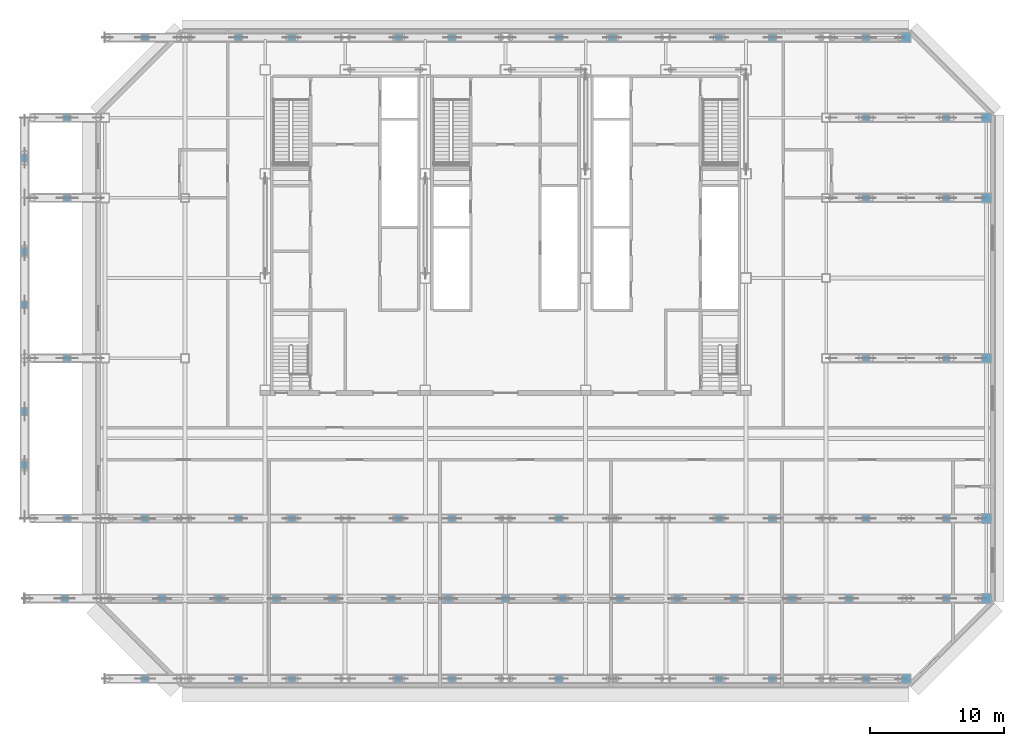
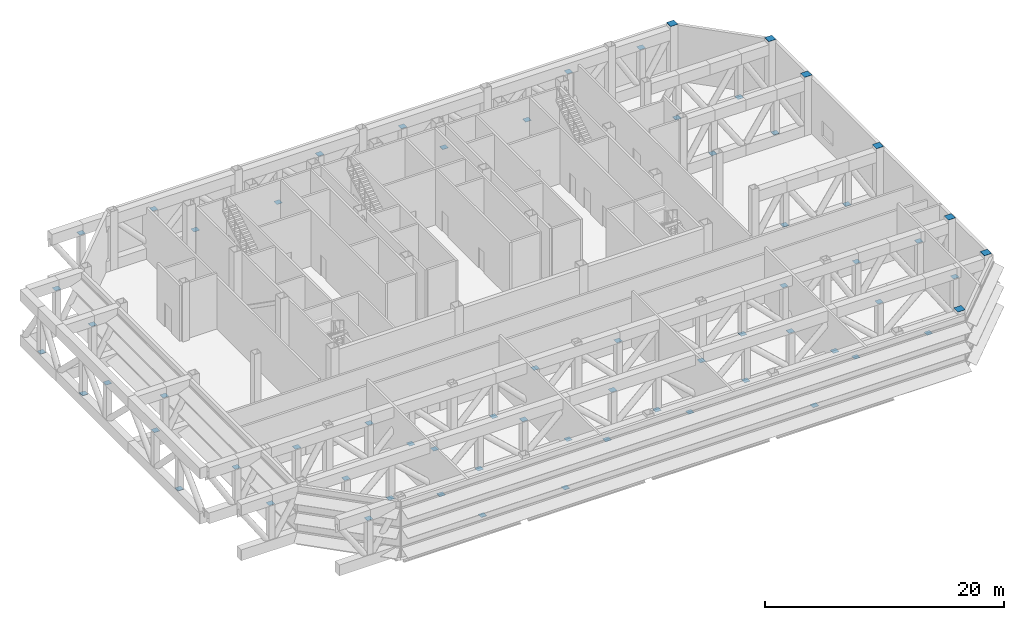
# One storey, part 15 of 17: 66 discrete accessories.
"""IFC4 building model written with IfcOpenShell, lengths in metres."""

from ifc_helpers import new_model, si_unit, direction, frame, origin, origin_2d, place, context, subcontext, project, spatial, rectangle, extrude, material, layer, layer_set, type_object, element, save


model = new_model("IFC4")

# Units and contexts
model_context = context("Model", 3, precision=1e-05, world=origin(), true_north=direction((0.0, 1.0)))
body_context = subcontext(model_context, "Body", "Model", "MODEL_VIEW")
ifc_project = project(units=[si_unit("LENGTHUNIT", "METRE"), si_unit("AREAUNIT", "SQUARE_METRE"), si_unit("VOLUMEUNIT", "CUBIC_METRE"), si_unit("PLANEANGLEUNIT", "RADIAN"), si_unit("MASSUNIT", "GRAM", prefix="KILO")], contexts=[model_context])

# Site, building, storey
site_placement = place(None, origin())
site = spatial("IfcSite", under=ifc_project, at=site_placement, CompositionType="ELEMENT")
building_placement = place(site_placement, origin())
building = spatial("IfcBuilding", under=site, at=building_placement, Name="Sorahane Residences", CompositionType="ELEMENT")
storey_placement = place(building_placement, frame((0.0, 0.0, 186.0)))
storey = spatial("IfcBuildingStorey", under=building, at=storey_placement, Name="L43", CompositionType="ELEMENT", Elevation=186.0)

# Discrete accessories
ifc_material_1 = material(Name="Steel Q355B", Category="steel")
ifc_layer_1 = layer(ifc_material_1, 0.02001953125)
ifc_layer_set_1 = layer_set([ifc_layer_1], Name="End plate Steel Q355B 700x700x20")
discrete_accessory_type_1 = type_object("IfcDiscreteAccessoryType", Name="End plate Steel Q355B 700x700x20", PredefinedType="USERDEFINED", material=ifc_layer_set_1)
for number, where, z_axis, x_axis, name in (
    (1, (54.0, 0.0, 6.0), (0.0, 0.0, 1.0), (1.0, 0.0, 0.0), "End plate L43"),
    (2, (54.0, 48.0, 6.0), (0.0, 0.0, 1.0), (1.0, 0.0, 0.0), "End plate L43"),
    (3, (60.0, 12.0, 6.0), (0.0, 0.0, 1.0), (1.0, 0.0, 0.0), "End plate L43"),
    (4, (60.0, 24.0, 6.0), (0.0, 0.0, 1.0), (1.0, 0.0, 0.0), "End plate L43"),
    (5, (60.0, 36.0, 6.0), (0.0, 0.0, 1.0), (1.0, 0.0, 0.0), "End plate L43"),
    (6, (60.0, 42.0, 6.0), (0.0, 0.0, 1.0), (1.0, 0.0, 0.0), "End plate L43"),
    (7, (60.0, 6.0, 6.0), (0.0, 0.0, 1.0), (1.0, 0.0, 0.0), "End plate L43"),
):
    element("IfcDiscreteAccessory", number, at=place(storey_placement, frame(where, z_axis=z_axis, x_axis=x_axis)), inside=storey, type_object=discrete_accessory_type_1, Name=name, ObjectType="END PLATE", PredefinedType="USERDEFINED", context=body_context, shape_type="SweptSolid", body=[
        extrude(rectangle(XDim=0.699951171875, YDim=0.699951171875, at=origin_2d()), origin(), (0.0, 0.0, 1.0), 0.02001953125),
    ])
ifc_material_2 = material(Name="Steel Q420GJ", Category="steel")
ifc_layer_2 = layer(ifc_material_2, 0.02001953125)
ifc_layer_set_2 = layer_set([ifc_layer_2], Name="End plate Steel Q420GJ 550x550x20")
discrete_accessory_type_2 = type_object("IfcDiscreteAccessoryType", Name="End plate Steel Q420GJ 550x550x20", PredefinedType="USERDEFINED", material=ifc_layer_set_2)
for number, where, z_axis, x_axis, name in (
    (8, (-3.0, 0.0, 4.60009765625), (0.0, 0.0, 1.0), (1.0, 0.0, 0.0), "End plate L43"),
    (9, (40.0, 0.0, 1.080078125), (0.0, 0.0, 1.0), (1.0, 0.0, 0.0), "End plate L43"),
    (10, (44.0, 0.0, 4.60009765625), (0.0, 0.0, 1.0), (1.0, 0.0, 0.0), "End plate L43"),
    (11, (51.0, 0.0, 4.60009765625), (0.0, 0.0, 1.0), (1.0, 0.0, 0.0), "End plate L43"),
    (12, (4.0, 0.0, 4.60009765625), (0.0, 0.0, 1.0), (1.0, 0.0, 0.0), "End plate L43"),
    (13, (8.0, 0.0, 1.080078125), (0.0, 0.0, 1.0), (1.0, 0.0, 0.0), "End plate L43"),
    (14, (16.0, 0.0, 1.080078125), (0.0, 0.0, 1.0), (1.0, 0.0, 0.0), "End plate L43"),
    (15, (20.0, 0.0, 4.60009765625), (0.0, 0.0, 1.0), (1.0, 0.0, 0.0), "End plate L43"),
    (16, (28.0, 0.0, 4.60009765625), (0.0, 0.0, 1.0), (1.0, 0.0, 0.0), "End plate L43"),
    (17, (-8.824951171875, 12.0, 4.60009765625), (0.0, 0.0, 1.0), (1.0, 0.0, 0.0), "End plate L43"),
    (18, (28.0, 12.0, 4.60009765625), (0.0, 0.0, 1.0), (1.0, 0.0, 0.0), "End plate L43"),
    (19, (40.0, 12.0, 1.080078125), (0.0, 0.0, 1.0), (1.0, 0.0, 0.0), "End plate L43"),
    (20, (44.0, 12.0, 4.60009765625), (0.0, 0.0, 1.0), (1.0, 0.0, 0.0), "End plate L43"),
    (21, (51.0, 12.0, 4.60009765625), (0.0, 0.0, 1.0), (1.0, 0.0, 0.0), "End plate L43"),
    (22, (57.0, 12.0, 4.60009765625), (0.0, 0.0, 1.0), (1.0, 0.0, 0.0), "End plate L43"),
    (23, (-3.0, 12.0, 4.60009765625), (0.0, 0.0, 1.0), (1.0, 0.0, 0.0), "End plate L43"),
    (24, (4.0, 12.0, 4.60009765625), (0.0, 0.0, 1.0), (1.0, 0.0, 0.0), "End plate L43"),
    (25, (8.0, 12.0, 1.080078125), (0.0, 0.0, 1.0), (1.0, 0.0, 0.0), "End plate L43"),
    (26, (16.0, 12.0, 1.080078125), (0.0, 0.0, 1.0), (1.0, 0.0, 0.0), "End plate L43"),
    (27, (20.0, 12.0, 4.60009765625), (0.0, 0.0, 1.0), (1.0, 0.0, 0.0), "End plate L43"),
    (28, (-8.824951171875, 24.0, 4.60009765625), (0.0, 0.0, 1.0), (1.0, 0.0, 0.0), "End plate L43"),
    (29, (51.0, 24.0, 1.080078125), (0.0, 0.0, 1.0), (1.0, 0.0, 0.0), "End plate L43"),
    (30, (57.0, 24.0, 1.080078125), (0.0, 0.0, 1.0), (1.0, 0.0, 0.0), "End plate L43"),
    (31, (-8.824951171875, 36.0, 4.60009765625), (0.0, 0.0, 1.0), (1.0, 0.0, 0.0), "End plate L43"),
    (32, (51.0, 36.0, 1.080078125), (0.0, 0.0, 1.0), (1.0, 0.0, 0.0), "End plate L43"),
    (33, (57.0, 36.0, 1.080078125), (0.0, 0.0, 1.0), (1.0, 0.0, 0.0), "End plate L43"),
    (34, (-8.824951171875, 42.0, 4.60009765625), (0.0, 0.0, 1.0), (1.0, 0.0, 0.0), "End plate L43"),
    (35, (51.0, 42.0, 1.080078125), (0.0, 0.0, 1.0), (1.0, 0.0, 0.0), "End plate L43"),
    (36, (57.0, 42.0, 1.080078125), (0.0, 0.0, 1.0), (1.0, 0.0, 0.0), "End plate L43"),
    (37, (-3.0, 48.0, 4.60009765625), (0.0, 0.0, 1.0), (1.0, 0.0, 0.0), "End plate L43"),
    (38, (32.0, 48.0, 1.080078125), (0.0, 0.0, 1.0), (1.0, 0.0, 0.0), "End plate L43"),
    (39, (40.0, 48.0, 1.080078125), (0.0, 0.0, 1.0), (1.0, 0.0, 0.0), "End plate L43"),
    (40, (44.0, 48.0, 4.60009765625), (0.0, 0.0, 1.0), (1.0, 0.0, 0.0), "End plate L43"),
    (41, (51.0, 48.0, 4.60009765625), (0.0, 0.0, 1.0), (1.0, 0.0, 0.0), "End plate L43"),
    (42, (4.0, 48.0, 4.60009765625), (0.0, 0.0, 1.0), (1.0, 0.0, 0.0), "End plate L43"),
    (43, (8.0, 48.0, 1.080078125), (0.0, 0.0, 1.0), (1.0, 0.0, 0.0), "End plate L43"),
    (44, (16.0, 48.0, 1.080078125), (0.0, 0.0, 1.0), (1.0, 0.0, 0.0), "End plate L43"),
    (45, (20.0, 48.0, 4.60009765625), (0.0, 0.0, 1.0), (1.0, 0.0, 0.0), "End plate L43"),
    (46, (28.0, 48.0, 4.60009765625), (0.0, 0.0, 1.0), (1.0, 0.0, 0.0), "End plate L43"),
    (47, (-9.0, 6.0, 4.60009765625), (0.0, 0.0, 1.0), (1.0, 0.0, 0.0), "End plate L43"),
    (48, (28.28564453125, 6.0, 1.080078125), (0.0, 0.0, 1.0), (1.0, 0.0, 0.0), "End plate L43"),
    (49, (32.5712890625, 6.0, 4.60009765625), (0.0, 0.0, 1.0), (1.0, 0.0, 0.0), "End plate L43"),
    (50, (36.857177734375, 6.0, 1.080078125), (0.0, 0.0, 1.0), (1.0, 0.0, 0.0), "End plate L43"),
    (51, (41.142822265625, 6.0, 4.60009765625), (0.0, 0.0, 1.0), (1.0, 0.0, 0.0), "End plate L43"),
    (52, (45.4287109375, 6.0, 1.080078125), (0.0, 0.0, 1.0), (1.0, 0.0, 0.0), "End plate L43"),
    (53, (49.71435546875, 6.0, 4.60009765625), (0.0, 0.0, 1.0), (1.0, 0.0, 0.0), "End plate L43"),
    (54, (57.0, 6.0, 4.60009765625), (0.0, 0.0, 1.0), (1.0, 0.0, 0.0), "End plate L43"),
    (55, (-1.71435546875, 6.0, 4.60009765625), (0.0, 0.0, 1.0), (1.0, 0.0, 0.0), "End plate L43"),
    (56, (2.5712890625, 6.0, 1.080078125), (0.0, 0.0, 1.0), (1.0, 0.0, 0.0), "End plate L43"),
    (57, (6.857177734375, 6.0, 4.60009765625), (0.0, 0.0, 1.0), (1.0, 0.0, 0.0), "End plate L43"),
    (58, (11.142822265625, 6.0, 1.080078125), (0.0, 0.0, 1.0), (1.0, 0.0, 0.0), "End plate L43"),
    (59, (15.4287109375, 6.0, 4.60009765625), (0.0, 0.0, 1.0), (1.0, 0.0, 0.0), "End plate L43"),
    (60, (19.71435546875, 6.0, 1.080078125), (0.0, 0.0, 1.0), (1.0, 0.0, 0.0), "End plate L43"),
    (61, (24.0, 6.0, 4.60009765625), (0.0, 0.0, 1.0), (1.0, 0.0, 0.0), "End plate L43"),
    (62, (-12.0, 16.0, 1.080078125), (0.0, 0.0, 1.0), (1.0, 0.0, 0.0), "End plate L43"),
    (63, (-12.0, 20.0, 4.60009765625), (0.0, 0.0, 1.0), (1.0, 0.0, 0.0), "End plate L43"),
    (64, (-12.0, 28.0, 4.60009765625), (0.0, 0.0, 1.0), (1.0, 0.0, 0.0), "End plate L43"),
    (65, (-12.0, 32.0, 1.080078125), (0.0, 0.0, 1.0), (1.0, 0.0, 0.0), "End plate L43"),
    (66, (-12.0, 39.0, 1.080078125), (0.0, 0.0, 1.0), (1.0, 0.0, 0.0), "End plate L43"),
):
    element("IfcDiscreteAccessory", number, at=place(storey_placement, frame(where, z_axis=z_axis, x_axis=x_axis)), inside=storey, type_object=discrete_accessory_type_2, Name=name, ObjectType="END PLATE", PredefinedType="USERDEFINED", context=body_context, shape_type="SweptSolid", body=[
        extrude(rectangle(XDim=0.550048828125, YDim=0.550048828125, at=origin_2d()), origin(), (0.0, 0.0, 1.0), 0.02001953125),
    ])

save(model, "model.ifc")
